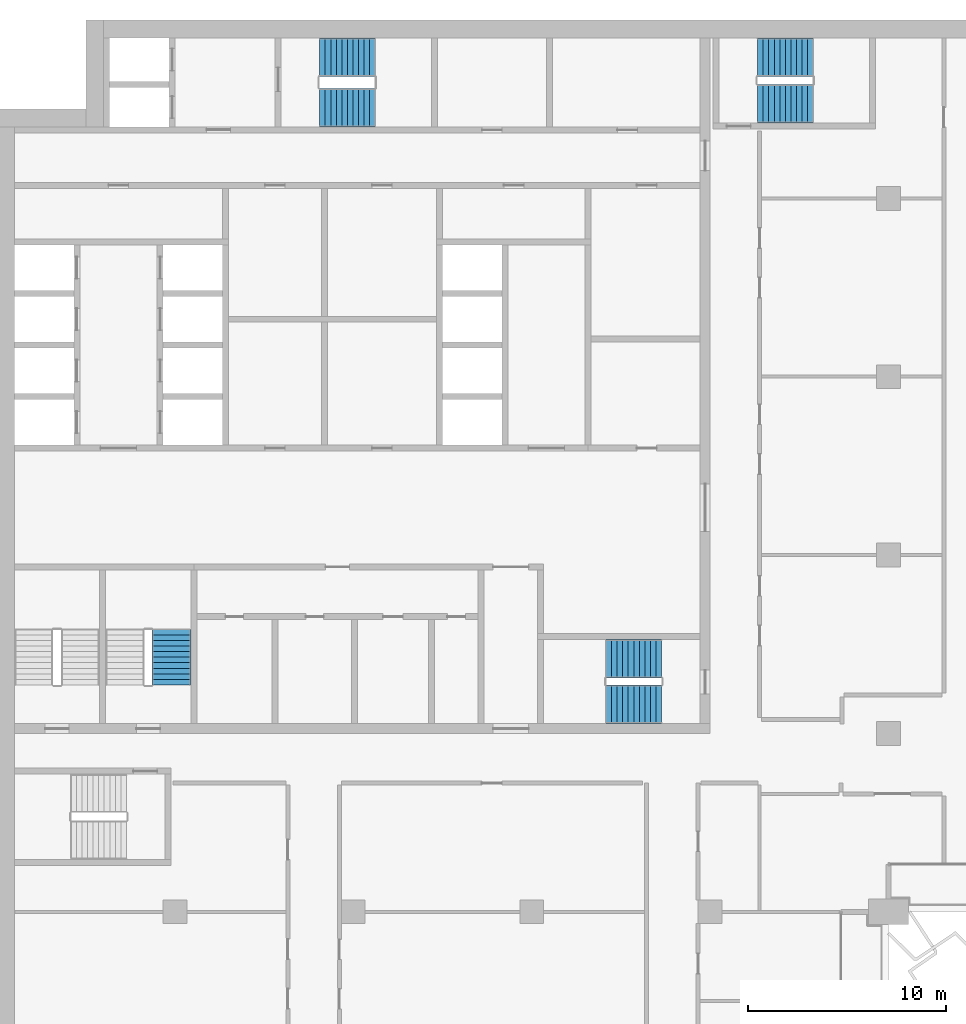
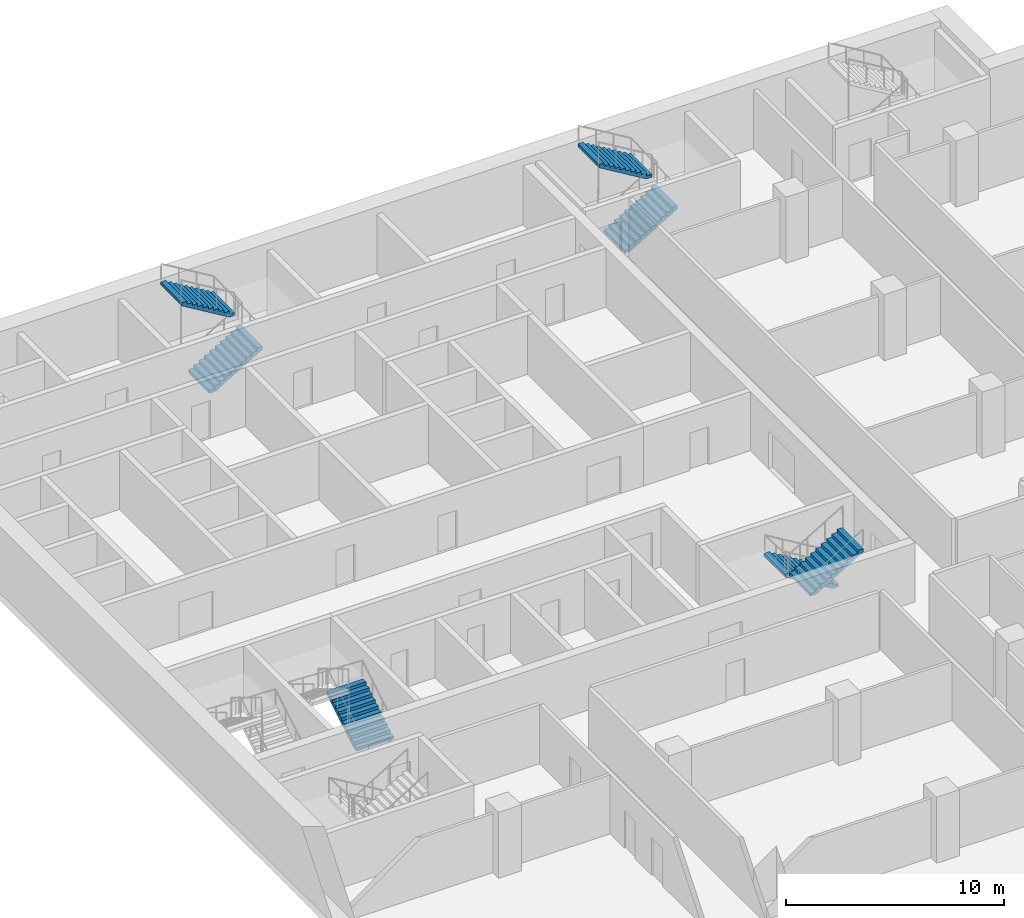
# One storey, part 16 of 22: 7 stair flights, 4 elements without a shape of their own.
"""IFC4 building model written with IfcOpenShell, lengths in metres."""

from ifc_helpers import new_model, si_unit, direction, frame, origin, place, context, subcontext, project, spatial, polyline, outline, extrude, material, type_object, element, aggregate, save


model = new_model("IFC4")

# Units and contexts
model_context = context("Model", 3, precision=1e-05, world=origin(), true_north=direction((0.0, 1.0)))
body_context = subcontext(model_context, "Body", "Model", "MODEL_VIEW")
ifc_project = project(units=[si_unit("LENGTHUNIT", "METRE"), si_unit("AREAUNIT", "SQUARE_METRE"), si_unit("VOLUMEUNIT", "CUBIC_METRE"), si_unit("PLANEANGLEUNIT", "RADIAN"), si_unit("MASSUNIT", "GRAM", prefix="KILO")], contexts=[model_context])

# Site, building, storey
site_placement = place(None, origin())
site = spatial("IfcSite", under=ifc_project, at=site_placement, CompositionType="ELEMENT")
building_placement = place(site_placement, origin())
building = spatial("IfcBuilding", under=site, at=building_placement, Name="Hunhe Ridgeline Campus", CompositionType="ELEMENT")
storey_placement = place(building_placement, frame((0.0, 0.0, 133.800048828125)))
storey = spatial("IfcBuildingStorey", under=building, at=storey_placement, Name="L33", CompositionType="ELEMENT", Elevation=133.800048828125)

# Stair, stair flights
ifc_material = material(Name="Concrete C40", Category="concrete")
stair_type = type_object("IfcStairType", Name="Reinforced concrete dog-leg stair 1950 Concrete C40", PredefinedType="HALF_TURN_STAIR", material=ifc_material)
stair_1_placement = place(storey_placement, origin())
stair_1 = element("IfcStair", 1, at=stair_1_placement, inside=storey, type_object=stair_type, Name="L33 S1", PredefinedType="HALF_TURN_STAIR")
stair_flight_type = type_object("IfcStairFlightType", Name="Reinforced concrete stair flight 1950 Concrete C40", PredefinedType="STRAIGHT", material=ifc_material)
stair_flight_1_placement = place(storey_placement, frame((16.300048828125, 94.574951171875, 0.0), z_axis=(0.0, 0.0, 1.0), x_axis=(1.0, 0.0, 0.0)))
stair_flight_1 = element("IfcStairFlight", 2, at=stair_flight_1_placement, type_object=stair_flight_type, Name="ST1 flight 1", NumberOfRisers=11, NumberOfTreads=10, PredefinedType="STRAIGHT", RiserHeight=0.168181818, TreadLength=0.28, context=body_context, shape_type="SweptSolid", body=[
    extrude(outline(polyline([(0.0, 0.0), (0.0, 0.168212890625), (0.280029296875, 0.168212890625), (0.280029296875, 0.33642578125), (0.56005859375, 0.33642578125), (0.56005859375, 0.504638671875), (0.840087890625, 0.504638671875), (0.840087890625, 0.672607421875), (1.1201171875, 0.672607421875), (1.1201171875, 0.8408203125), (1.39990234375, 0.8408203125), (1.39990234375, 1.009033203125), (1.679931640625, 1.009033203125), (1.679931640625, 1.17724609375), (1.9599609375, 1.17724609375), (1.9599609375, 1.345458984375), (2.239990234375, 1.345458984375), (2.239990234375, 1.513671875), (2.52001953125, 1.513671875), (2.52001953125, 1.681884765625), (2.800048828125, 1.681884765625), (2.800048828125, 1.85009765625), (2.800048828125, 1.5068359375), (0.291015625, 0.0), (0.0, 0.0)])), frame((0.0, 0.97509765625, 0.0), z_axis=(0.0, -1.0, 0.0), x_axis=(1.0, 0.0, 0.0)), (0.0, 0.0, 1.0), 1.949951171875),
    extrude(outline(polyline([(0.030029296875, 0.030029296875), (0.030029296875, 0.13818359375), (0.31005859375, 0.13818359375), (0.31005859375, 0.306396484375), (0.590087890625, 0.306396484375), (0.590087890625, 0.474609375), (0.8701171875, 0.474609375), (0.8701171875, 0.642578125), (1.14990234375, 0.642578125), (1.14990234375, 0.810791015625), (1.429931640625, 0.810791015625), (1.429931640625, 0.97900390625), (1.7099609375, 0.97900390625), (1.7099609375, 1.147216796875), (1.989990234375, 1.147216796875), (1.989990234375, 1.3154296875), (2.27001953125, 1.3154296875), (2.27001953125, 1.483642578125), (2.550048828125, 1.483642578125), (2.550048828125, 1.65185546875), (2.77001953125, 1.65185546875), (2.77001953125, 1.52392578125), (0.28271484375, 0.030029296875), (0.030029296875, 0.030029296875)])), frame((0.0, -0.070068359375, 0.0), z_axis=(0.0, -1.0, 0.0), x_axis=(1.0, 0.0, 0.0)), (0.0, 0.0, 1.0), 0.019775390625),
    extrude(outline(polyline([(0.030029296875, 0.030029296875), (0.030029296875, 0.13818359375), (0.31005859375, 0.13818359375), (0.31005859375, 0.306396484375), (0.590087890625, 0.306396484375), (0.590087890625, 0.474609375), (0.8701171875, 0.474609375), (0.8701171875, 0.642578125), (1.14990234375, 0.642578125), (1.14990234375, 0.810791015625), (1.429931640625, 0.810791015625), (1.429931640625, 0.97900390625), (1.7099609375, 0.97900390625), (1.7099609375, 1.147216796875), (1.989990234375, 1.147216796875), (1.989990234375, 1.3154296875), (2.27001953125, 1.3154296875), (2.27001953125, 1.483642578125), (2.550048828125, 1.483642578125), (2.550048828125, 1.65185546875), (2.77001953125, 1.65185546875), (2.77001953125, 1.52392578125), (0.28271484375, 0.030029296875), (0.030029296875, 0.030029296875)])), frame((0.0, 0.010009765625, 0.0), z_axis=(0.0, -1.0, 0.0), x_axis=(1.0, 0.0, 0.0)), (0.0, 0.0, 1.0), 0.019775390625),
    extrude(outline(polyline([(0.030029296875, 0.030029296875), (0.030029296875, 0.13818359375), (0.31005859375, 0.13818359375), (0.31005859375, 0.306396484375), (0.590087890625, 0.306396484375), (0.590087890625, 0.474609375), (0.8701171875, 0.474609375), (0.8701171875, 0.642578125), (1.14990234375, 0.642578125), (1.14990234375, 0.810791015625), (1.429931640625, 0.810791015625), (1.429931640625, 0.97900390625), (1.7099609375, 0.97900390625), (1.7099609375, 1.147216796875), (1.989990234375, 1.147216796875), (1.989990234375, 1.3154296875), (2.27001953125, 1.3154296875), (2.27001953125, 1.483642578125), (2.550048828125, 1.483642578125), (2.550048828125, 1.65185546875), (2.77001953125, 1.65185546875), (2.77001953125, 1.52392578125), (0.28271484375, 0.030029296875), (0.030029296875, 0.030029296875)])), frame((0.0, 0.090087890625, 0.0), z_axis=(0.0, -1.0, 0.0), x_axis=(1.0, 0.0, 0.0)), (0.0, 0.0, 1.0), 0.019775390625),
])
stair_flight_2_placement = place(storey_placement, frame((19.10009765625, 97.125, 1.849853515625), z_axis=(0.0, 0.0, 1.0), x_axis=(-1.0, 0.0, 0.0)))
stair_flight_2 = element("IfcStairFlight", 3, at=stair_flight_2_placement, type_object=stair_flight_type, Name="ST1 flight 2", NumberOfRisers=11, NumberOfTreads=10, PredefinedType="STRAIGHT", RiserHeight=0.168181818, TreadLength=0.28, context=body_context, shape_type="SweptSolid", body=[
    extrude(outline(polyline([(0.0, 0.0), (0.0, 0.168212890625), (0.280029296875, 0.168212890625), (0.280029296875, 0.33642578125), (0.56005859375, 0.33642578125), (0.56005859375, 0.504638671875), (0.840087890625, 0.504638671875), (0.840087890625, 0.672607421875), (1.1201171875, 0.672607421875), (1.1201171875, 0.8408203125), (1.39990234375, 0.8408203125), (1.39990234375, 1.009033203125), (1.679931640625, 1.009033203125), (1.679931640625, 1.17724609375), (1.9599609375, 1.17724609375), (1.9599609375, 1.345458984375), (2.239990234375, 1.345458984375), (2.239990234375, 1.513671875), (2.52001953125, 1.513671875), (2.52001953125, 1.681884765625), (2.800048828125, 1.681884765625), (2.800048828125, 1.85009765625), (2.800048828125, 1.5068359375), (0.291015625, 0.0), (0.0, 0.0)])), frame((0.0, 0.97509765625, 0.0), z_axis=(0.0, -1.0, 0.0), x_axis=(1.0, 0.0, 0.0)), (0.0, 0.0, 1.0), 1.949951171875),
    extrude(outline(polyline([(0.030029296875, 0.030029296875), (0.030029296875, 0.13818359375), (0.31005859375, 0.13818359375), (0.31005859375, 0.306396484375), (0.590087890625, 0.306396484375), (0.590087890625, 0.474609375), (0.8701171875, 0.474609375), (0.8701171875, 0.642578125), (1.14990234375, 0.642578125), (1.14990234375, 0.810791015625), (1.429931640625, 0.810791015625), (1.429931640625, 0.97900390625), (1.7099609375, 0.97900390625), (1.7099609375, 1.147216796875), (1.989990234375, 1.147216796875), (1.989990234375, 1.3154296875), (2.27001953125, 1.3154296875), (2.27001953125, 1.483642578125), (2.550048828125, 1.483642578125), (2.550048828125, 1.65185546875), (2.77001953125, 1.65185546875), (2.77001953125, 1.52392578125), (0.28271484375, 0.030029296875), (0.030029296875, 0.030029296875)])), frame((0.0, -0.070068359375, 0.0), z_axis=(0.0, -1.0, 0.0), x_axis=(1.0, 0.0, 0.0)), (0.0, 0.0, 1.0), 0.019775390625),
    extrude(outline(polyline([(0.030029296875, 0.030029296875), (0.030029296875, 0.13818359375), (0.31005859375, 0.13818359375), (0.31005859375, 0.306396484375), (0.590087890625, 0.306396484375), (0.590087890625, 0.474609375), (0.8701171875, 0.474609375), (0.8701171875, 0.642578125), (1.14990234375, 0.642578125), (1.14990234375, 0.810791015625), (1.429931640625, 0.810791015625), (1.429931640625, 0.97900390625), (1.7099609375, 0.97900390625), (1.7099609375, 1.147216796875), (1.989990234375, 1.147216796875), (1.989990234375, 1.3154296875), (2.27001953125, 1.3154296875), (2.27001953125, 1.483642578125), (2.550048828125, 1.483642578125), (2.550048828125, 1.65185546875), (2.77001953125, 1.65185546875), (2.77001953125, 1.52392578125), (0.28271484375, 0.030029296875), (0.030029296875, 0.030029296875)])), frame((0.0, 0.010009765625, 0.0), z_axis=(0.0, -1.0, 0.0), x_axis=(1.0, 0.0, 0.0)), (0.0, 0.0, 1.0), 0.019775390625),
    extrude(outline(polyline([(0.030029296875, 0.030029296875), (0.030029296875, 0.13818359375), (0.31005859375, 0.13818359375), (0.31005859375, 0.306396484375), (0.590087890625, 0.306396484375), (0.590087890625, 0.474609375), (0.8701171875, 0.474609375), (0.8701171875, 0.642578125), (1.14990234375, 0.642578125), (1.14990234375, 0.810791015625), (1.429931640625, 0.810791015625), (1.429931640625, 0.97900390625), (1.7099609375, 0.97900390625), (1.7099609375, 1.147216796875), (1.989990234375, 1.147216796875), (1.989990234375, 1.3154296875), (2.27001953125, 1.3154296875), (2.27001953125, 1.483642578125), (2.550048828125, 1.483642578125), (2.550048828125, 1.65185546875), (2.77001953125, 1.65185546875), (2.77001953125, 1.52392578125), (0.28271484375, 0.030029296875), (0.030029296875, 0.030029296875)])), frame((0.0, 0.090087890625, 0.0), z_axis=(0.0, -1.0, 0.0), x_axis=(1.0, 0.0, 0.0)), (0.0, 0.0, 1.0), 0.019775390625),
])
aggregate(stair_1, [stair_flight_1, stair_flight_2])

stair_2_placement = place(storey_placement, origin())
stair_2 = element("IfcStair", 4, at=stair_2_placement, inside=storey, type_object=stair_type, Name="L33 S2", PredefinedType="HALF_TURN_STAIR")
stair_flight_3_placement = place(storey_placement, frame((33.550048828125, 66.77490234375, 0.0), z_axis=(0.0, 0.0, 1.0), x_axis=(-1.0, 0.0, 0.0)))
stair_flight_3 = element("IfcStairFlight", 5, at=stair_flight_3_placement, type_object=stair_flight_type, Name="ST2 flight 1", NumberOfRisers=11, NumberOfTreads=10, PredefinedType="STRAIGHT", RiserHeight=0.168181818, TreadLength=0.28, context=body_context, shape_type="SweptSolid", body=[
    extrude(outline(polyline([(0.0, 0.0), (0.0, 0.168212890625), (0.280029296875, 0.168212890625), (0.280029296875, 0.33642578125), (0.56005859375, 0.33642578125), (0.56005859375, 0.504638671875), (0.840087890625, 0.504638671875), (0.840087890625, 0.672607421875), (1.1201171875, 0.672607421875), (1.1201171875, 0.8408203125), (1.39990234375, 0.8408203125), (1.39990234375, 1.009033203125), (1.679931640625, 1.009033203125), (1.679931640625, 1.17724609375), (1.9599609375, 1.17724609375), (1.9599609375, 1.345458984375), (2.239990234375, 1.345458984375), (2.239990234375, 1.513671875), (2.52001953125, 1.513671875), (2.52001953125, 1.681884765625), (2.800048828125, 1.681884765625), (2.800048828125, 1.85009765625), (2.800048828125, 1.5068359375), (0.291015625, 0.0), (0.0, 0.0)])), frame((0.0, 0.97509765625, 0.0), z_axis=(0.0, -1.0, 0.0), x_axis=(1.0, 0.0, 0.0)), (0.0, 0.0, 1.0), 1.949951171875),
    extrude(outline(polyline([(0.030029296875, 0.030029296875), (0.030029296875, 0.13818359375), (0.31005859375, 0.13818359375), (0.31005859375, 0.306396484375), (0.590087890625, 0.306396484375), (0.590087890625, 0.474609375), (0.8701171875, 0.474609375), (0.8701171875, 0.642578125), (1.14990234375, 0.642578125), (1.14990234375, 0.810791015625), (1.429931640625, 0.810791015625), (1.429931640625, 0.97900390625), (1.7099609375, 0.97900390625), (1.7099609375, 1.147216796875), (1.989990234375, 1.147216796875), (1.989990234375, 1.3154296875), (2.27001953125, 1.3154296875), (2.27001953125, 1.483642578125), (2.550048828125, 1.483642578125), (2.550048828125, 1.65185546875), (2.77001953125, 1.65185546875), (2.77001953125, 1.52392578125), (0.28271484375, 0.030029296875), (0.030029296875, 0.030029296875)])), frame((0.0, -0.070068359375, 0.0), z_axis=(0.0, -1.0, 0.0), x_axis=(1.0, 0.0, 0.0)), (0.0, 0.0, 1.0), 0.019775390625),
    extrude(outline(polyline([(0.030029296875, 0.030029296875), (0.030029296875, 0.13818359375), (0.31005859375, 0.13818359375), (0.31005859375, 0.306396484375), (0.590087890625, 0.306396484375), (0.590087890625, 0.474609375), (0.8701171875, 0.474609375), (0.8701171875, 0.642578125), (1.14990234375, 0.642578125), (1.14990234375, 0.810791015625), (1.429931640625, 0.810791015625), (1.429931640625, 0.97900390625), (1.7099609375, 0.97900390625), (1.7099609375, 1.147216796875), (1.989990234375, 1.147216796875), (1.989990234375, 1.3154296875), (2.27001953125, 1.3154296875), (2.27001953125, 1.483642578125), (2.550048828125, 1.483642578125), (2.550048828125, 1.65185546875), (2.77001953125, 1.65185546875), (2.77001953125, 1.52392578125), (0.28271484375, 0.030029296875), (0.030029296875, 0.030029296875)])), frame((0.0, 0.010009765625, 0.0), z_axis=(0.0, -1.0, 0.0), x_axis=(1.0, 0.0, 0.0)), (0.0, 0.0, 1.0), 0.019775390625),
    extrude(outline(polyline([(0.030029296875, 0.030029296875), (0.030029296875, 0.13818359375), (0.31005859375, 0.13818359375), (0.31005859375, 0.306396484375), (0.590087890625, 0.306396484375), (0.590087890625, 0.474609375), (0.8701171875, 0.474609375), (0.8701171875, 0.642578125), (1.14990234375, 0.642578125), (1.14990234375, 0.810791015625), (1.429931640625, 0.810791015625), (1.429931640625, 0.97900390625), (1.7099609375, 0.97900390625), (1.7099609375, 1.147216796875), (1.989990234375, 1.147216796875), (1.989990234375, 1.3154296875), (2.27001953125, 1.3154296875), (2.27001953125, 1.483642578125), (2.550048828125, 1.483642578125), (2.550048828125, 1.65185546875), (2.77001953125, 1.65185546875), (2.77001953125, 1.52392578125), (0.28271484375, 0.030029296875), (0.030029296875, 0.030029296875)])), frame((0.0, 0.090087890625, 0.0), z_axis=(0.0, -1.0, 0.0), x_axis=(1.0, 0.0, 0.0)), (0.0, 0.0, 1.0), 0.019775390625),
])
stair_flight_4_placement = place(storey_placement, frame((30.75, 64.47509765625, 1.849853515625), z_axis=(0.0, 0.0, 1.0), x_axis=(1.0, 0.0, 0.0)))
stair_flight_4 = element("IfcStairFlight", 6, at=stair_flight_4_placement, type_object=stair_flight_type, Name="ST2 flight 2", NumberOfRisers=11, NumberOfTreads=10, PredefinedType="STRAIGHT", RiserHeight=0.168181818, TreadLength=0.28, context=body_context, shape_type="SweptSolid", body=[
    extrude(outline(polyline([(0.0, 0.0), (0.0, 0.168212890625), (0.280029296875, 0.168212890625), (0.280029296875, 0.33642578125), (0.56005859375, 0.33642578125), (0.56005859375, 0.504638671875), (0.840087890625, 0.504638671875), (0.840087890625, 0.672607421875), (1.1201171875, 0.672607421875), (1.1201171875, 0.8408203125), (1.39990234375, 0.8408203125), (1.39990234375, 1.009033203125), (1.679931640625, 1.009033203125), (1.679931640625, 1.17724609375), (1.9599609375, 1.17724609375), (1.9599609375, 1.345458984375), (2.239990234375, 1.345458984375), (2.239990234375, 1.513671875), (2.52001953125, 1.513671875), (2.52001953125, 1.681884765625), (2.800048828125, 1.681884765625), (2.800048828125, 1.85009765625), (2.800048828125, 1.5068359375), (0.291015625, 0.0), (0.0, 0.0)])), frame((0.0, 0.97509765625, 0.0), z_axis=(0.0, -1.0, 0.0), x_axis=(1.0, 0.0, 0.0)), (0.0, 0.0, 1.0), 1.949951171875),
    extrude(outline(polyline([(0.030029296875, 0.030029296875), (0.030029296875, 0.13818359375), (0.31005859375, 0.13818359375), (0.31005859375, 0.306396484375), (0.590087890625, 0.306396484375), (0.590087890625, 0.474609375), (0.8701171875, 0.474609375), (0.8701171875, 0.642578125), (1.14990234375, 0.642578125), (1.14990234375, 0.810791015625), (1.429931640625, 0.810791015625), (1.429931640625, 0.97900390625), (1.7099609375, 0.97900390625), (1.7099609375, 1.147216796875), (1.989990234375, 1.147216796875), (1.989990234375, 1.3154296875), (2.27001953125, 1.3154296875), (2.27001953125, 1.483642578125), (2.550048828125, 1.483642578125), (2.550048828125, 1.65185546875), (2.77001953125, 1.65185546875), (2.77001953125, 1.52392578125), (0.28271484375, 0.030029296875), (0.030029296875, 0.030029296875)])), frame((0.0, -0.070068359375, 0.0), z_axis=(0.0, -1.0, 0.0), x_axis=(1.0, 0.0, 0.0)), (0.0, 0.0, 1.0), 0.019775390625),
    extrude(outline(polyline([(0.030029296875, 0.030029296875), (0.030029296875, 0.13818359375), (0.31005859375, 0.13818359375), (0.31005859375, 0.306396484375), (0.590087890625, 0.306396484375), (0.590087890625, 0.474609375), (0.8701171875, 0.474609375), (0.8701171875, 0.642578125), (1.14990234375, 0.642578125), (1.14990234375, 0.810791015625), (1.429931640625, 0.810791015625), (1.429931640625, 0.97900390625), (1.7099609375, 0.97900390625), (1.7099609375, 1.147216796875), (1.989990234375, 1.147216796875), (1.989990234375, 1.3154296875), (2.27001953125, 1.3154296875), (2.27001953125, 1.483642578125), (2.550048828125, 1.483642578125), (2.550048828125, 1.65185546875), (2.77001953125, 1.65185546875), (2.77001953125, 1.52392578125), (0.28271484375, 0.030029296875), (0.030029296875, 0.030029296875)])), frame((0.0, 0.010009765625, 0.0), z_axis=(0.0, -1.0, 0.0), x_axis=(1.0, 0.0, 0.0)), (0.0, 0.0, 1.0), 0.019775390625),
    extrude(outline(polyline([(0.030029296875, 0.030029296875), (0.030029296875, 0.13818359375), (0.31005859375, 0.13818359375), (0.31005859375, 0.306396484375), (0.590087890625, 0.306396484375), (0.590087890625, 0.474609375), (0.8701171875, 0.474609375), (0.8701171875, 0.642578125), (1.14990234375, 0.642578125), (1.14990234375, 0.810791015625), (1.429931640625, 0.810791015625), (1.429931640625, 0.97900390625), (1.7099609375, 0.97900390625), (1.7099609375, 1.147216796875), (1.989990234375, 1.147216796875), (1.989990234375, 1.3154296875), (2.27001953125, 1.3154296875), (2.27001953125, 1.483642578125), (2.550048828125, 1.483642578125), (2.550048828125, 1.65185546875), (2.77001953125, 1.65185546875), (2.77001953125, 1.52392578125), (0.28271484375, 0.030029296875), (0.030029296875, 0.030029296875)])), frame((0.0, 0.090087890625, 0.0), z_axis=(0.0, -1.0, 0.0), x_axis=(1.0, 0.0, 0.0)), (0.0, 0.0, 1.0), 0.019775390625),
])
aggregate(stair_2, [stair_flight_3, stair_flight_4])

# Stair, stair flight
stair_3_placement = place(storey_placement, origin())
stair_3 = element("IfcStair", 7, at=stair_3_placement, inside=storey, type_object=stair_type, Name="L33 S4", PredefinedType="HALF_TURN_STAIR")
stair_flight_5_placement = place(storey_placement, frame((8.824951171875, 65.449951171875, 0.0), z_axis=(0.0, 0.0, 1.0), x_axis=(0.0, 1.0, 0.0)))
stair_flight_5 = element("IfcStairFlight", 8, at=stair_flight_5_placement, type_object=stair_flight_type, Name="ST4 flight 1", NumberOfRisers=11, NumberOfTreads=10, PredefinedType="STRAIGHT", RiserHeight=0.168181818, TreadLength=0.28, context=body_context, shape_type="SweptSolid", body=[
    extrude(outline(polyline([(0.0, 0.0), (0.0, 0.168212890625), (0.280029296875, 0.168212890625), (0.280029296875, 0.33642578125), (0.56005859375, 0.33642578125), (0.56005859375, 0.504638671875), (0.840087890625, 0.504638671875), (0.840087890625, 0.672607421875), (1.1201171875, 0.672607421875), (1.1201171875, 0.8408203125), (1.39990234375, 0.8408203125), (1.39990234375, 1.009033203125), (1.679931640625, 1.009033203125), (1.679931640625, 1.17724609375), (1.9599609375, 1.17724609375), (1.9599609375, 1.345458984375), (2.239990234375, 1.345458984375), (2.239990234375, 1.513671875), (2.52001953125, 1.513671875), (2.52001953125, 1.681884765625), (2.800048828125, 1.681884765625), (2.800048828125, 1.85009765625), (2.800048828125, 1.5068359375), (0.291015625, 0.0), (0.0, 0.0)])), frame((0.0, 0.97509765625, 0.0), z_axis=(0.0, -1.0, 0.0), x_axis=(1.0, 0.0, 0.0)), (0.0, 0.0, 1.0), 1.949951171875),
    extrude(outline(polyline([(0.030029296875, 0.030029296875), (0.030029296875, 0.13818359375), (0.31005859375, 0.13818359375), (0.31005859375, 0.306396484375), (0.590087890625, 0.306396484375), (0.590087890625, 0.474609375), (0.8701171875, 0.474609375), (0.8701171875, 0.642578125), (1.14990234375, 0.642578125), (1.14990234375, 0.810791015625), (1.429931640625, 0.810791015625), (1.429931640625, 0.97900390625), (1.7099609375, 0.97900390625), (1.7099609375, 1.147216796875), (1.989990234375, 1.147216796875), (1.989990234375, 1.3154296875), (2.27001953125, 1.3154296875), (2.27001953125, 1.483642578125), (2.550048828125, 1.483642578125), (2.550048828125, 1.65185546875), (2.77001953125, 1.65185546875), (2.77001953125, 1.52392578125), (0.28271484375, 0.030029296875), (0.030029296875, 0.030029296875)])), frame((0.0, -0.070068359375, 0.0), z_axis=(0.0, -1.0, 0.0), x_axis=(1.0, 0.0, 0.0)), (0.0, 0.0, 1.0), 0.019775390625),
    extrude(outline(polyline([(0.030029296875, 0.030029296875), (0.030029296875, 0.13818359375), (0.31005859375, 0.13818359375), (0.31005859375, 0.306396484375), (0.590087890625, 0.306396484375), (0.590087890625, 0.474609375), (0.8701171875, 0.474609375), (0.8701171875, 0.642578125), (1.14990234375, 0.642578125), (1.14990234375, 0.810791015625), (1.429931640625, 0.810791015625), (1.429931640625, 0.97900390625), (1.7099609375, 0.97900390625), (1.7099609375, 1.147216796875), (1.989990234375, 1.147216796875), (1.989990234375, 1.3154296875), (2.27001953125, 1.3154296875), (2.27001953125, 1.483642578125), (2.550048828125, 1.483642578125), (2.550048828125, 1.65185546875), (2.77001953125, 1.65185546875), (2.77001953125, 1.52392578125), (0.28271484375, 0.030029296875), (0.030029296875, 0.030029296875)])), frame((0.0, 0.010009765625, 0.0), z_axis=(0.0, -1.0, 0.0), x_axis=(1.0, 0.0, 0.0)), (0.0, 0.0, 1.0), 0.019775390625),
    extrude(outline(polyline([(0.030029296875, 0.030029296875), (0.030029296875, 0.13818359375), (0.31005859375, 0.13818359375), (0.31005859375, 0.306396484375), (0.590087890625, 0.306396484375), (0.590087890625, 0.474609375), (0.8701171875, 0.474609375), (0.8701171875, 0.642578125), (1.14990234375, 0.642578125), (1.14990234375, 0.810791015625), (1.429931640625, 0.810791015625), (1.429931640625, 0.97900390625), (1.7099609375, 0.97900390625), (1.7099609375, 1.147216796875), (1.989990234375, 1.147216796875), (1.989990234375, 1.3154296875), (2.27001953125, 1.3154296875), (2.27001953125, 1.483642578125), (2.550048828125, 1.483642578125), (2.550048828125, 1.65185546875), (2.77001953125, 1.65185546875), (2.77001953125, 1.52392578125), (0.28271484375, 0.030029296875), (0.030029296875, 0.030029296875)])), frame((0.0, 0.090087890625, 0.0), z_axis=(0.0, -1.0, 0.0), x_axis=(1.0, 0.0, 0.0)), (0.0, 0.0, 1.0), 0.019775390625),
])
aggregate(stair_3, [stair_flight_5])

# Stair, stair flights
stair_4_placement = place(storey_placement, origin())
stair_4 = element("IfcStair", 9, at=stair_4_placement, inside=storey, type_object=stair_type, Name="L33 E1", PredefinedType="HALF_TURN_STAIR")
stair_flight_6_placement = place(storey_placement, frame((38.39990234375, 94.77490234375, 0.0), z_axis=(0.0, 0.0, 1.0), x_axis=(1.0, 0.0, 0.0)))
stair_flight_6 = element("IfcStairFlight", 10, at=stair_flight_6_placement, type_object=stair_flight_type, Name="ST5 flight 1", NumberOfRisers=11, NumberOfTreads=10, PredefinedType="STRAIGHT", RiserHeight=0.168181818, TreadLength=0.28, context=body_context, shape_type="SweptSolid", body=[
    extrude(outline(polyline([(0.0, 0.0), (0.0, 0.168212890625), (0.280029296875, 0.168212890625), (0.280029296875, 0.33642578125), (0.56005859375, 0.33642578125), (0.56005859375, 0.504638671875), (0.840087890625, 0.504638671875), (0.840087890625, 0.672607421875), (1.1201171875, 0.672607421875), (1.1201171875, 0.8408203125), (1.39990234375, 0.8408203125), (1.39990234375, 1.009033203125), (1.679931640625, 1.009033203125), (1.679931640625, 1.17724609375), (1.9599609375, 1.17724609375), (1.9599609375, 1.345458984375), (2.239990234375, 1.345458984375), (2.239990234375, 1.513671875), (2.52001953125, 1.513671875), (2.52001953125, 1.681884765625), (2.800048828125, 1.681884765625), (2.800048828125, 1.85009765625), (2.800048828125, 1.5068359375), (0.291015625, 0.0), (0.0, 0.0)])), frame((0.0, 0.97509765625, 0.0), z_axis=(0.0, -1.0, 0.0), x_axis=(1.0, 0.0, 0.0)), (0.0, 0.0, 1.0), 1.949951171875),
    extrude(outline(polyline([(0.030029296875, 0.030029296875), (0.030029296875, 0.13818359375), (0.31005859375, 0.13818359375), (0.31005859375, 0.306396484375), (0.590087890625, 0.306396484375), (0.590087890625, 0.474609375), (0.8701171875, 0.474609375), (0.8701171875, 0.642578125), (1.14990234375, 0.642578125), (1.14990234375, 0.810791015625), (1.429931640625, 0.810791015625), (1.429931640625, 0.97900390625), (1.7099609375, 0.97900390625), (1.7099609375, 1.147216796875), (1.989990234375, 1.147216796875), (1.989990234375, 1.3154296875), (2.27001953125, 1.3154296875), (2.27001953125, 1.483642578125), (2.550048828125, 1.483642578125), (2.550048828125, 1.65185546875), (2.77001953125, 1.65185546875), (2.77001953125, 1.52392578125), (0.28271484375, 0.030029296875), (0.030029296875, 0.030029296875)])), frame((0.0, -0.070068359375, 0.0), z_axis=(0.0, -1.0, 0.0), x_axis=(1.0, 0.0, 0.0)), (0.0, 0.0, 1.0), 0.019775390625),
    extrude(outline(polyline([(0.030029296875, 0.030029296875), (0.030029296875, 0.13818359375), (0.31005859375, 0.13818359375), (0.31005859375, 0.306396484375), (0.590087890625, 0.306396484375), (0.590087890625, 0.474609375), (0.8701171875, 0.474609375), (0.8701171875, 0.642578125), (1.14990234375, 0.642578125), (1.14990234375, 0.810791015625), (1.429931640625, 0.810791015625), (1.429931640625, 0.97900390625), (1.7099609375, 0.97900390625), (1.7099609375, 1.147216796875), (1.989990234375, 1.147216796875), (1.989990234375, 1.3154296875), (2.27001953125, 1.3154296875), (2.27001953125, 1.483642578125), (2.550048828125, 1.483642578125), (2.550048828125, 1.65185546875), (2.77001953125, 1.65185546875), (2.77001953125, 1.52392578125), (0.28271484375, 0.030029296875), (0.030029296875, 0.030029296875)])), frame((0.0, 0.010009765625, 0.0), z_axis=(0.0, -1.0, 0.0), x_axis=(1.0, 0.0, 0.0)), (0.0, 0.0, 1.0), 0.019775390625),
    extrude(outline(polyline([(0.030029296875, 0.030029296875), (0.030029296875, 0.13818359375), (0.31005859375, 0.13818359375), (0.31005859375, 0.306396484375), (0.590087890625, 0.306396484375), (0.590087890625, 0.474609375), (0.8701171875, 0.474609375), (0.8701171875, 0.642578125), (1.14990234375, 0.642578125), (1.14990234375, 0.810791015625), (1.429931640625, 0.810791015625), (1.429931640625, 0.97900390625), (1.7099609375, 0.97900390625), (1.7099609375, 1.147216796875), (1.989990234375, 1.147216796875), (1.989990234375, 1.3154296875), (2.27001953125, 1.3154296875), (2.27001953125, 1.483642578125), (2.550048828125, 1.483642578125), (2.550048828125, 1.65185546875), (2.77001953125, 1.65185546875), (2.77001953125, 1.52392578125), (0.28271484375, 0.030029296875), (0.030029296875, 0.030029296875)])), frame((0.0, 0.090087890625, 0.0), z_axis=(0.0, -1.0, 0.0), x_axis=(1.0, 0.0, 0.0)), (0.0, 0.0, 1.0), 0.019775390625),
])
stair_flight_7_placement = place(storey_placement, frame((41.199951171875, 97.125, 1.849853515625), z_axis=(0.0, 0.0, 1.0), x_axis=(-1.0, 0.0, 0.0)))
stair_flight_7 = element("IfcStairFlight", 11, at=stair_flight_7_placement, type_object=stair_flight_type, Name="ST5 flight 2", NumberOfRisers=11, NumberOfTreads=10, PredefinedType="STRAIGHT", RiserHeight=0.168181818, TreadLength=0.28, context=body_context, shape_type="SweptSolid", body=[
    extrude(outline(polyline([(0.0, 0.0), (0.0, 0.168212890625), (0.280029296875, 0.168212890625), (0.280029296875, 0.33642578125), (0.56005859375, 0.33642578125), (0.56005859375, 0.504638671875), (0.840087890625, 0.504638671875), (0.840087890625, 0.672607421875), (1.1201171875, 0.672607421875), (1.1201171875, 0.8408203125), (1.39990234375, 0.8408203125), (1.39990234375, 1.009033203125), (1.679931640625, 1.009033203125), (1.679931640625, 1.17724609375), (1.9599609375, 1.17724609375), (1.9599609375, 1.345458984375), (2.239990234375, 1.345458984375), (2.239990234375, 1.513671875), (2.52001953125, 1.513671875), (2.52001953125, 1.681884765625), (2.800048828125, 1.681884765625), (2.800048828125, 1.85009765625), (2.800048828125, 1.5068359375), (0.291015625, 0.0), (0.0, 0.0)])), frame((0.0, 0.97509765625, 0.0), z_axis=(0.0, -1.0, 0.0), x_axis=(1.0, 0.0, 0.0)), (0.0, 0.0, 1.0), 1.949951171875),
    extrude(outline(polyline([(0.030029296875, 0.030029296875), (0.030029296875, 0.13818359375), (0.31005859375, 0.13818359375), (0.31005859375, 0.306396484375), (0.590087890625, 0.306396484375), (0.590087890625, 0.474609375), (0.8701171875, 0.474609375), (0.8701171875, 0.642578125), (1.14990234375, 0.642578125), (1.14990234375, 0.810791015625), (1.429931640625, 0.810791015625), (1.429931640625, 0.97900390625), (1.7099609375, 0.97900390625), (1.7099609375, 1.147216796875), (1.989990234375, 1.147216796875), (1.989990234375, 1.3154296875), (2.27001953125, 1.3154296875), (2.27001953125, 1.483642578125), (2.550048828125, 1.483642578125), (2.550048828125, 1.65185546875), (2.77001953125, 1.65185546875), (2.77001953125, 1.52392578125), (0.28271484375, 0.030029296875), (0.030029296875, 0.030029296875)])), frame((0.0, -0.070068359375, 0.0), z_axis=(0.0, -1.0, 0.0), x_axis=(1.0, 0.0, 0.0)), (0.0, 0.0, 1.0), 0.019775390625),
    extrude(outline(polyline([(0.030029296875, 0.030029296875), (0.030029296875, 0.13818359375), (0.31005859375, 0.13818359375), (0.31005859375, 0.306396484375), (0.590087890625, 0.306396484375), (0.590087890625, 0.474609375), (0.8701171875, 0.474609375), (0.8701171875, 0.642578125), (1.14990234375, 0.642578125), (1.14990234375, 0.810791015625), (1.429931640625, 0.810791015625), (1.429931640625, 0.97900390625), (1.7099609375, 0.97900390625), (1.7099609375, 1.147216796875), (1.989990234375, 1.147216796875), (1.989990234375, 1.3154296875), (2.27001953125, 1.3154296875), (2.27001953125, 1.483642578125), (2.550048828125, 1.483642578125), (2.550048828125, 1.65185546875), (2.77001953125, 1.65185546875), (2.77001953125, 1.52392578125), (0.28271484375, 0.030029296875), (0.030029296875, 0.030029296875)])), frame((0.0, 0.010009765625, 0.0), z_axis=(0.0, -1.0, 0.0), x_axis=(1.0, 0.0, 0.0)), (0.0, 0.0, 1.0), 0.019775390625),
    extrude(outline(polyline([(0.030029296875, 0.030029296875), (0.030029296875, 0.13818359375), (0.31005859375, 0.13818359375), (0.31005859375, 0.306396484375), (0.590087890625, 0.306396484375), (0.590087890625, 0.474609375), (0.8701171875, 0.474609375), (0.8701171875, 0.642578125), (1.14990234375, 0.642578125), (1.14990234375, 0.810791015625), (1.429931640625, 0.810791015625), (1.429931640625, 0.97900390625), (1.7099609375, 0.97900390625), (1.7099609375, 1.147216796875), (1.989990234375, 1.147216796875), (1.989990234375, 1.3154296875), (2.27001953125, 1.3154296875), (2.27001953125, 1.483642578125), (2.550048828125, 1.483642578125), (2.550048828125, 1.65185546875), (2.77001953125, 1.65185546875), (2.77001953125, 1.52392578125), (0.28271484375, 0.030029296875), (0.030029296875, 0.030029296875)])), frame((0.0, 0.090087890625, 0.0), z_axis=(0.0, -1.0, 0.0), x_axis=(1.0, 0.0, 0.0)), (0.0, 0.0, 1.0), 0.019775390625),
])
aggregate(stair_4, [stair_flight_6, stair_flight_7])

save(model, "model.ifc")
